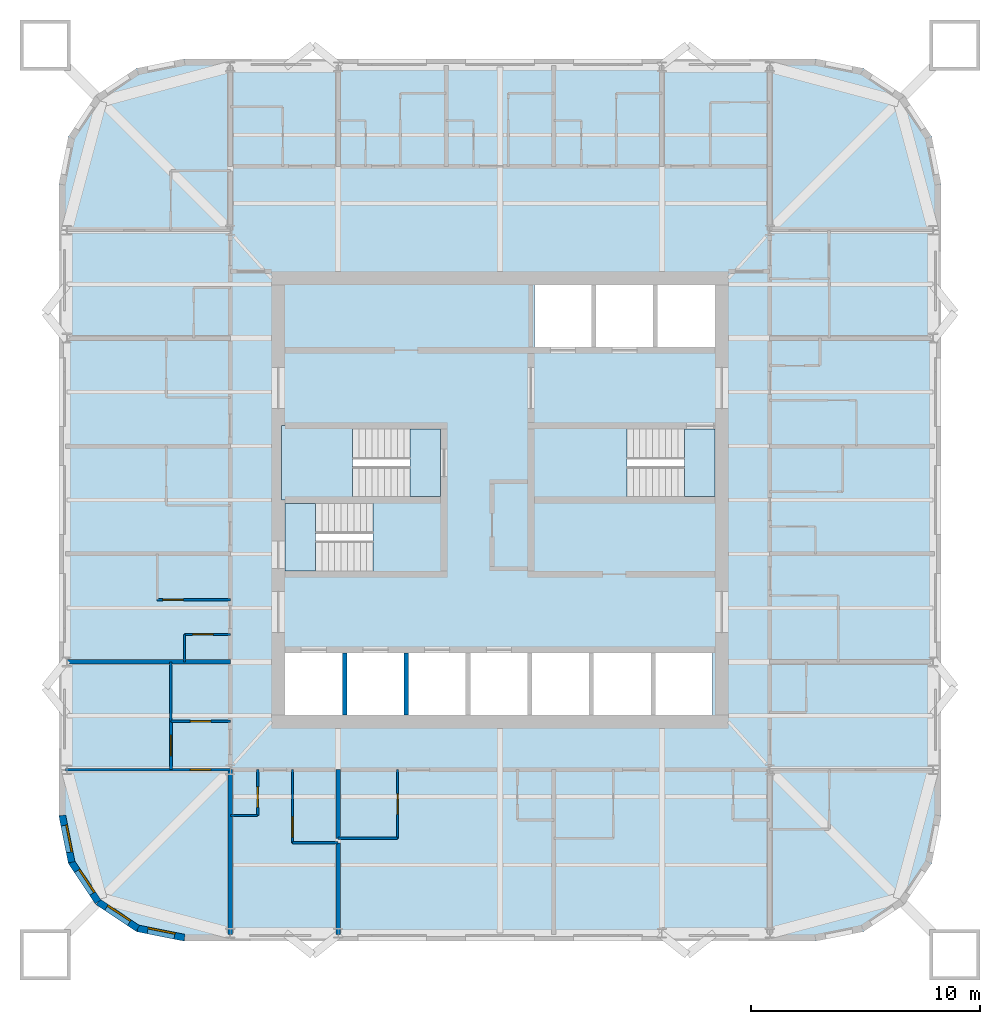
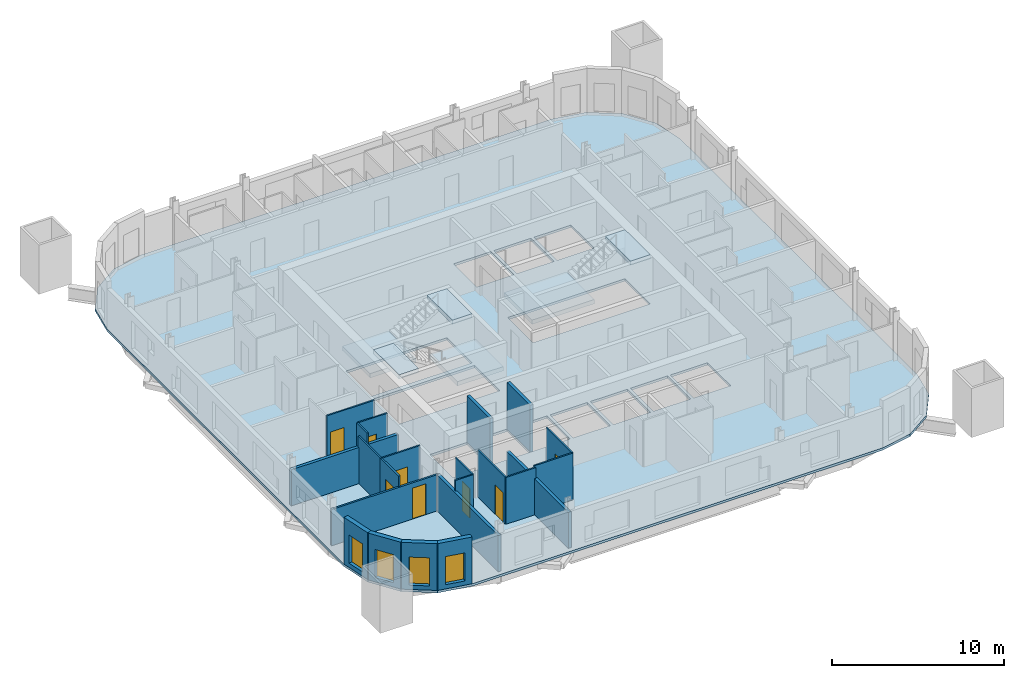
# One storey, part 2 of 10: 23 walls, 8 doors, 7 slabs, 4 windows, 12 openings, 3 elements without a shape of their own.
"""IFC4 building model written with IfcOpenShell, lengths in metres."""

from ifc_helpers import new_model, si_unit, direction, frame, frame_2d, origin, place, context, subcontext, project, spatial, polyline, rectangle, outline, extrude, material, layer, layer_set, type_object, element, fill, aggregate, save


model = new_model("IFC4")

# Units and contexts
model_context = context("Model", 3, precision=1e-05, world=origin(), true_north=direction((0.0, 1.0)))
body_context = subcontext(model_context, "Body", "Model", "MODEL_VIEW")
ifc_project = project(units=[si_unit("LENGTHUNIT", "METRE"), si_unit("AREAUNIT", "SQUARE_METRE"), si_unit("VOLUMEUNIT", "CUBIC_METRE"), si_unit("PLANEANGLEUNIT", "RADIAN"), si_unit("MASSUNIT", "GRAM", prefix="KILO")], contexts=[model_context])

# Site, building, storey
site_placement = place(None, origin())
site = spatial("IfcSite", under=ifc_project, at=site_placement, CompositionType="ELEMENT")
building_placement = place(site_placement, origin())
building = spatial("IfcBuilding", under=site, at=building_placement, Name="Turquesa Mirador Hotel Tower", CompositionType="ELEMENT")
storey_placement = place(building_placement, frame((0.0, 0.0, 179.300048828125)))
storey = spatial("IfcBuildingStorey", under=building, at=storey_placement, Name="L48", CompositionType="ELEMENT", Elevation=179.300048828125)

# Slab
ifc_material_1 = material(Name="Concrete C28/35", Category="concrete")
ifc_layer_1 = layer(ifc_material_1, 0.169921875)
ifc_layer_set_1 = layer_set([ifc_layer_1], Name="COMPOSITE FLOOR SLAB 170")
slab_type_1 = type_object("IfcSlabType", Name="COMPOSITE FLOOR SLAB 170", PredefinedType="FLOOR", material=ifc_layer_set_1)
slab_1_placement = place(storey_placement, frame((0.0, 0.0, -0.170166015625)))
element("IfcSlab", 1, at=slab_1_placement, inside=storey, type_object=slab_type_1, Name="Floor slab L48", PredefinedType="FLOOR", context=body_context, shape_type="SweptSolid", body=[
    extrude(outline(polyline([(68.800048828125, 25.699951171875), (70.90478515625, 26.11865234375), (72.689208984375, 27.310791015625), (73.88134765625, 29.09521484375), (74.300048828125, 31.199951171875), (74.300048828125, 58.800048828125), (73.88134765625, 60.90478515625), (72.689208984375, 62.689208984375), (70.90478515625, 63.88134765625), (68.800048828125, 64.300048828125), (41.199951171875, 64.300048828125), (39.09521484375, 63.88134765625), (37.310791015625, 62.689208984375), (36.11865234375, 60.90478515625), (35.699951171875, 58.800048828125), (35.699951171875, 31.199951171875), (36.11865234375, 29.09521484375), (37.310791015625, 27.310791015625), (39.09521484375, 26.11865234375), (41.199951171875, 25.699951171875), (68.800048828125, 25.699951171875)]), holes=[polyline([(56.5, 51.699951171875), (59.0, 51.699951171875), (59.0, 54.39990234375), (56.5, 54.39990234375), (56.5, 51.699951171875)]), polyline([(59.199951171875, 51.699951171875), (61.699951171875, 51.699951171875), (61.699951171875, 54.39990234375), (59.199951171875, 54.39990234375), (59.199951171875, 51.699951171875)]), polyline([(45.60009765625, 35.60009765625), (48.10009765625, 35.60009765625), (48.10009765625, 38.300048828125), (45.60009765625, 38.300048828125), (45.60009765625, 35.60009765625)]), polyline([(48.300048828125, 35.60009765625), (50.800048828125, 35.60009765625), (50.800048828125, 38.300048828125), (48.300048828125, 38.300048828125), (48.300048828125, 35.60009765625)]), polyline([(51.0, 35.60009765625), (53.5, 35.60009765625), (53.5, 38.300048828125), (51.0, 38.300048828125), (51.0, 35.60009765625)]), polyline([(53.699951171875, 35.60009765625), (56.199951171875, 35.60009765625), (56.199951171875, 38.300048828125), (53.699951171875, 38.300048828125), (53.699951171875, 35.60009765625)]), polyline([(56.39990234375, 35.60009765625), (58.89990234375, 35.60009765625), (58.89990234375, 38.300048828125), (56.39990234375, 38.300048828125), (56.39990234375, 35.60009765625)]), polyline([(59.10009765625, 35.60009765625), (61.60009765625, 35.60009765625), (61.60009765625, 38.300048828125), (59.10009765625, 38.300048828125), (59.10009765625, 35.60009765625)]), polyline([(61.800048828125, 35.60009765625), (64.300048828125, 35.60009765625), (64.300048828125, 38.300048828125), (61.800048828125, 38.300048828125), (61.800048828125, 35.60009765625)]), polyline([(45.60009765625, 45.14990234375), (52.39990234375, 45.14990234375), (52.39990234375, 48.10009765625), (45.60009765625, 48.10009765625), (45.60009765625, 45.14990234375)]), polyline([(45.60009765625, 41.89990234375), (52.39990234375, 41.89990234375), (52.39990234375, 44.85009765625), (45.60009765625, 44.85009765625), (45.60009765625, 41.89990234375)]), polyline([(56.5, 45.14990234375), (64.39990234375, 45.14990234375), (64.39990234375, 48.10009765625), (56.5, 48.10009765625), (56.5, 45.14990234375)]), polyline([(61.89990234375, 51.699951171875), (64.39990234375, 51.699951171875), (64.39990234375, 54.39990234375), (61.89990234375, 54.39990234375), (61.89990234375, 51.699951171875)])]), origin(), (0.0, 0.0, 1.0), 0.170166015625),
])

# Stair, slabs
ifc_material_2 = material(Name="Concrete C35/45", Category="concrete")
stair_type = type_object("IfcStairType", Name="ESCAPE STAIR CORE", PredefinedType="HALF_TURN_STAIR", material=ifc_material_2)
stair_1_placement = place(storey_placement, origin())
stair_1 = element("IfcStair", 2, at=stair_1_placement, inside=storey, type_object=stair_type, Name="Stair ST1 L48 to L49", PredefinedType="HALF_TURN_STAIR")
ifc_material_3 = material(Name="Concrete C35/45", Category="concrete")
ifc_layer_2 = layer(ifc_material_3, 0.300048828125)
ifc_layer_set_2 = layer_set([ifc_layer_2], Name="STAIR LANDING 300")
slab_type_2 = type_object("IfcSlabType", Name="STAIR LANDING 300", PredefinedType="LANDING", material=ifc_layer_set_2)
slab_2_placement = place(storey_placement, frame((0.0, 0.0, 1.449951171875)))
slab_2 = element("IfcSlab", 3, at=slab_2_placement, type_object=slab_type_2, Name="ST1 landing 1", PredefinedType="LANDING", context=body_context, shape_type="SweptSolid", body=[
    extrude(outline(polyline([(45.449951171875, 45.0), (48.550048828125, 45.0), (48.550048828125, 48.25), (45.449951171875, 48.25), (45.449951171875, 45.0)])), origin(), (0.0, 0.0, 1.0), 0.300048828125),
])
slab_3_placement = place(storey_placement, frame((0.0, 0.0, 3.199951171875)))
slab_3 = element("IfcSlab", 4, at=slab_3_placement, type_object=slab_type_2, Name="ST1 landing 2", PredefinedType="LANDING", context=body_context, shape_type="SweptSolid", body=[
    extrude(outline(polyline([(51.070068359375, 45.14990234375), (52.39990234375, 45.14990234375), (52.39990234375, 48.10009765625), (51.070068359375, 48.10009765625), (51.070068359375, 45.14990234375)])), origin(), (0.0, 0.0, 1.0), 0.300048828125),
])
aggregate(stair_1, [slab_2, slab_3])

stair_2_placement = place(storey_placement, origin())
stair_2 = element("IfcStair", 5, at=stair_2_placement, inside=storey, type_object=stair_type, Name="Stair ST2 L48 to L49", PredefinedType="HALF_TURN_STAIR")
slab_4_placement = place(storey_placement, frame((0.0, 0.0, 1.449951171875)))
slab_4 = element("IfcSlab", 6, at=slab_4_placement, type_object=slab_type_2, Name="ST2 landing 1", PredefinedType="LANDING", context=body_context, shape_type="SweptSolid", body=[
    extrude(outline(polyline([(52.550048828125, 45.0), (49.449951171875, 45.0), (49.449951171875, 41.75), (52.550048828125, 41.75), (52.550048828125, 45.0)])), origin(), (0.0, 0.0, 1.0), 0.300048828125),
])
slab_5_placement = place(storey_placement, frame((0.0, 0.0, 3.199951171875)))
slab_5 = element("IfcSlab", 7, at=slab_5_placement, type_object=slab_type_2, Name="ST2 landing 2", PredefinedType="LANDING", context=body_context, shape_type="SweptSolid", body=[
    extrude(outline(polyline([(46.929931640625, 44.85009765625), (45.60009765625, 44.85009765625), (45.60009765625, 41.89990234375), (46.929931640625, 41.89990234375), (46.929931640625, 44.85009765625)])), origin(), (0.0, 0.0, 1.0), 0.300048828125),
])
aggregate(stair_2, [slab_4, slab_5])

stair_3_placement = place(storey_placement, origin())
stair_3 = element("IfcStair", 8, at=stair_3_placement, inside=storey, type_object=stair_type, Name="Stair ST3 L48 to L49", PredefinedType="HALF_TURN_STAIR")
slab_6_placement = place(storey_placement, frame((0.0, 0.0, 1.449951171875)))
slab_6 = element("IfcSlab", 9, at=slab_6_placement, type_object=slab_type_2, Name="ST3 landing 1", PredefinedType="LANDING", context=body_context, shape_type="SweptSolid", body=[
    extrude(outline(polyline([(56.35009765625, 45.0), (60.550048828125, 45.0), (60.550048828125, 48.25), (56.35009765625, 48.25), (56.35009765625, 45.0)])), origin(), (0.0, 0.0, 1.0), 0.300048828125),
])
slab_7_placement = place(storey_placement, frame((0.0, 0.0, 3.199951171875)))
slab_7 = element("IfcSlab", 10, at=slab_7_placement, type_object=slab_type_2, Name="ST3 landing 2", PredefinedType="LANDING", context=body_context, shape_type="SweptSolid", body=[
    extrude(outline(polyline([(63.070068359375, 45.14990234375), (64.39990234375, 45.14990234375), (64.39990234375, 48.10009765625), (63.070068359375, 48.10009765625), (63.070068359375, 45.14990234375)])), origin(), (0.0, 0.0, 1.0), 0.300048828125),
])
aggregate(stair_3, [slab_6, slab_7])

# Walls
ifc_material_4 = material(Name="Gypsum board on steel studs", Category="steel")
ifc_layer_3 = layer(ifc_material_4, 0.10009765625)
ifc_layer_set_3 = layer_set([ifc_layer_3], Name="BATHROOM WALL 100")
wall_type_1 = type_object("IfcWallType", Name="BATHROOM WALL 100", PredefinedType="PARTITIONING", material=ifc_layer_set_3)
wall_1_placement = place(storey_placement, frame((43.199951171875, 31.199951171875, 0.0), z_axis=(0.0, 0.0, 1.0), x_axis=(1.0, 0.0, 0.0)))
element("IfcWall", 11, at=wall_1_placement, inside=storey, type_object=wall_type_1, Name="Partition L48 007", PredefinedType="PARTITIONING", context=body_context, shape_type="SweptSolid", body=[
    extrude(rectangle(XDim=1.199951171875, YDim=0.10009765625, at=frame_2d((0.60009765625, 0.0))), origin(), (0.0, 0.0, 1.0), 3.329833984375),
])
wall_2_placement = place(storey_placement, frame((47.919921875, 30.199951171875, 0.0), z_axis=(0.0, 0.0, 1.0), x_axis=(1.0, 0.0, 0.0)))
element("IfcWall", 12, at=wall_2_placement, inside=storey, type_object=wall_type_1, Name="Partition L48 011", PredefinedType="PARTITIONING", context=body_context, shape_type="SweptSolid", body=[
    extrude(rectangle(XDim=2.60009765625, YDim=0.10009765625, at=frame_2d((1.300048828125, 0.0))), origin(), (0.0, 0.0, 1.0), 3.329833984375),
])
wall_3_placement = place(storey_placement, frame((45.919921875, 30.0, 0.0), z_axis=(0.0, 0.0, 1.0), x_axis=(1.0, 0.0, 0.0)))
element("IfcWall", 13, at=wall_3_placement, inside=storey, type_object=wall_type_1, Name="Partition L48 013", PredefinedType="PARTITIONING", context=body_context, shape_type="SweptSolid", body=[
    extrude(rectangle(XDim=2.0, YDim=0.10009765625, at=frame_2d((1.0, 0.0))), origin(), (0.0, 0.0, 1.0), 3.329833984375),
])

# Wall, opening, door
wall_4_placement = place(storey_placement, frame((40.0, 40.639892578125, 0.0), z_axis=(0.0, 0.0, 1.0), x_axis=(1.0, 0.0, 0.0)))
wall_4 = element("IfcWall", 14, at=wall_4_placement, inside=storey, type_object=wall_type_1, Name="Partition L48 017", PredefinedType="PARTITIONING", context=body_context, shape_type="SweptSolid", body=[
    extrude(rectangle(XDim=3.199951171875, YDim=0.10009765625, at=frame_2d((1.60009765625, 0.0))), origin(), (0.0, 0.0, 1.0), 3.329833984375),
])
opening_1_placement = place(wall_4_placement, frame((0.25, 0.0, 0.0)))
opening_1 = element("IfcOpeningElement", 15, at=opening_1_placement, cuts=wall_4, Name="Opening D02", PredefinedType="OPENING", context=body_context, shape_type="SweptSolid", body=[
    extrude(rectangle(XDim=0.89990234375, YDim=2.10009765625, at=frame_2d((0.449951171875, 1.050048828125))), frame((0.0, 0.06005859375, 0.0), z_axis=(0.0, -1.0, 0.0), x_axis=(1.0, 0.0, 0.0)), (0.0, 0.0, 1.0), 0.1201171875),
])
ifc_material_5 = material(Name="Timber veneered door", Category="wood")
door_type_1 = type_object("IfcDoorType", Name="DOOR 900X2100 EN-SUITE", OperationType="SINGLE_SWING_RIGHT", PredefinedType="DOOR", material=ifc_material_5)
door_1_placement = place(opening_1_placement, origin())
door_1 = element("IfcDoor", 16, at=door_1_placement, inside=storey, type_object=door_type_1, Name="Door 4812B", OperationType="SINGLE_SWING_RIGHT", OverallHeight=2.10009765625, OverallWidth=0.89990234375, PredefinedType="DOOR", context=body_context, shape_type="SweptSolid", body=[
    extrude(rectangle(XDim=0.89990234375, YDim=2.10009765625, at=frame_2d((0.449951171875, 1.050048828125))), frame((0.0, 0.02490234375, 0.0), z_axis=(0.0, -1.0, 0.0), x_axis=(1.0, 0.0, 0.0)), (0.0, 0.0, 1.0), 0.050048828125),
])
fill(opening_1, door_1)

wall_5_placement = place(storey_placement, frame((41.199951171875, 39.1201171875, 0.0), z_axis=(0.0, 0.0, 1.0), x_axis=(1.0, 0.0, 0.0)))
wall_5 = element("IfcWall", 17, at=wall_5_placement, inside=storey, type_object=wall_type_1, Name="Partition L48 018", PredefinedType="PARTITIONING", context=body_context, shape_type="SweptSolid", body=[
    extrude(rectangle(XDim=2.0, YDim=0.10009765625, at=frame_2d((1.0, 0.0))), origin(), (0.0, 0.0, 1.0), 3.329833984375),
])
opening_2_placement = place(wall_5_placement, frame((0.35009765625, 0.0, 0.0)))
opening_2 = element("IfcOpeningElement", 18, at=opening_2_placement, cuts=wall_5, Name="Opening D06", PredefinedType="OPENING", context=body_context, shape_type="SweptSolid", body=[
    extrude(rectangle(XDim=0.89990234375, YDim=2.10009765625, at=frame_2d((0.449951171875, 1.050048828125))), frame((0.0, 0.06005859375, 0.0), z_axis=(0.0, -1.0, 0.0), x_axis=(1.0, 0.0, 0.0)), (0.0, 0.0, 1.0), 0.1201171875),
])
ifc_material_6 = material(Name="Laminate door", Category="wood")
door_type_2 = type_object("IfcDoorType", Name="DOOR 900X2100 WC", OperationType="SINGLE_SWING_LEFT", PredefinedType="DOOR", material=ifc_material_6)
door_2_placement = place(opening_2_placement, origin())
door_2 = element("IfcDoor", 19, at=door_2_placement, inside=storey, type_object=door_type_2, Name="Door 4812W", OperationType="SINGLE_SWING_LEFT", OverallHeight=2.10009765625, OverallWidth=0.89990234375, PredefinedType="DOOR", context=body_context, shape_type="SweptSolid", body=[
    extrude(rectangle(XDim=0.89990234375, YDim=2.10009765625, at=frame_2d((0.449951171875, 1.050048828125))), frame((0.0, 0.02490234375, 0.0), z_axis=(0.0, -1.0, 0.0), x_axis=(1.0, 0.0, 0.0)), (0.0, 0.0, 1.0), 0.050048828125),
])
fill(opening_2, door_2)

wall_6_placement = place(storey_placement, frame((40.60009765625, 35.320068359375, 0.0), z_axis=(0.0, 0.0, 1.0), x_axis=(1.0, 0.0, 0.0)))
wall_6 = element("IfcWall", 20, at=wall_6_placement, inside=storey, type_object=wall_type_1, Name="Partition L48 022", PredefinedType="PARTITIONING", context=body_context, shape_type="SweptSolid", body=[
    extrude(rectangle(XDim=2.599853515625, YDim=0.10009765625, at=frame_2d((1.2998046875, 0.0))), origin(), (0.0, 0.0, 1.0), 3.329833984375),
])
opening_3_placement = place(wall_6_placement, frame((0.85009765625, 0.0, 0.0)))
opening_3 = element("IfcOpeningElement", 21, at=opening_3_placement, cuts=wall_6, Name="Opening D02", PredefinedType="OPENING", context=body_context, shape_type="SweptSolid", body=[
    extrude(rectangle(XDim=0.89990234375, YDim=2.10009765625, at=frame_2d((0.449951171875, 1.050048828125))), frame((0.0, 0.06005859375, 0.0), z_axis=(0.0, -1.0, 0.0), x_axis=(1.0, 0.0, 0.0)), (0.0, 0.0, 1.0), 0.1201171875),
])
door_3_placement = place(opening_3_placement, origin())
door_3 = element("IfcDoor", 22, at=door_3_placement, inside=storey, type_object=door_type_1, Name="Door 4817B", OperationType="SINGLE_SWING_RIGHT", OverallHeight=2.10009765625, OverallWidth=0.89990234375, PredefinedType="DOOR", context=body_context, shape_type="SweptSolid", body=[
    extrude(rectangle(XDim=0.89990234375, YDim=2.10009765625, at=frame_2d((0.449951171875, 1.050048828125))), frame((0.0, 0.02490234375, 0.0), z_axis=(0.0, -1.0, 0.0), x_axis=(1.0, 0.0, 0.0)), (0.0, 0.0, 1.0), 0.050048828125),
])
fill(opening_3, door_3)

wall_7_placement = place(storey_placement, frame((44.39990234375, 31.199951171875, 0.0), z_axis=(0.0, 0.0, 1.0), x_axis=(0.0, 1.0, 0.0)))
wall_7 = element("IfcWall", 23, at=wall_7_placement, inside=storey, type_object=wall_type_1, Name="Partition L48 049", PredefinedType="PARTITIONING", context=body_context, shape_type="SweptSolid", body=[
    extrude(rectangle(XDim=2.0, YDim=0.10009765625, at=frame_2d((1.0, 0.0))), origin(), (0.0, 0.0, 1.0), 3.329833984375),
])
opening_4_placement = place(wall_7_placement, frame((0.35009765625, 0.0, 0.0)))
opening_4 = element("IfcOpeningElement", 24, at=opening_4_placement, cuts=wall_7, Name="Opening D06", PredefinedType="OPENING", context=body_context, shape_type="SweptSolid", body=[
    extrude(rectangle(XDim=0.89990234375, YDim=2.10009765625, at=frame_2d((0.449951171875, 1.050048828125))), frame((0.0, 0.06005859375, 0.0), z_axis=(0.0, -1.0, 0.0), x_axis=(1.0, 0.0, 0.0)), (0.0, 0.0, 1.0), 0.1201171875),
])
door_4_placement = place(opening_4_placement, origin())
door_4 = element("IfcDoor", 25, at=door_4_placement, inside=storey, type_object=door_type_2, Name="Door 4806W", OperationType="SINGLE_SWING_LEFT", OverallHeight=2.10009765625, OverallWidth=0.89990234375, PredefinedType="DOOR", context=body_context, shape_type="SweptSolid", body=[
    extrude(rectangle(XDim=0.89990234375, YDim=2.10009765625, at=frame_2d((0.449951171875, 1.050048828125))), frame((0.0, 0.02490234375, 0.0), z_axis=(0.0, -1.0, 0.0), x_axis=(1.0, 0.0, 0.0)), (0.0, 0.0, 1.0), 0.050048828125),
])
fill(opening_4, door_4)

# Walls
wall_8_placement = place(storey_placement, frame((41.199951171875, 37.919921875, 0.0), z_axis=(0.0, 0.0, 1.0), x_axis=(0.0, 1.0, 0.0)))
element("IfcWall", 26, at=wall_8_placement, inside=storey, type_object=wall_type_1, Name="Partition L48 054", PredefinedType="PARTITIONING", context=body_context, shape_type="SweptSolid", body=[
    extrude(rectangle(XDim=1.2001953125, YDim=0.10009765625, at=frame_2d((0.60009765625, 0.0))), origin(), (0.0, 0.0, 1.0), 3.329833984375),
])
wall_9_placement = place(storey_placement, frame((40.60009765625, 35.320068359375, 0.0), z_axis=(0.0, 0.0, 1.0), x_axis=(0.0, 1.0, 0.0)))
element("IfcWall", 27, at=wall_9_placement, inside=storey, type_object=wall_type_1, Name="Partition L48 055", PredefinedType="PARTITIONING", context=body_context, shape_type="SweptSolid", body=[
    extrude(rectangle(XDim=2.599853515625, YDim=0.10009765625, at=frame_2d((1.2998046875, 0.0))), origin(), (0.0, 0.0, 1.0), 3.329833984375),
])

# Wall, opening, door
wall_10_placement = place(storey_placement, frame((50.52001953125, 30.199951171875, 0.0), z_axis=(0.0, 0.0, 1.0), x_axis=(0.0, 1.0, 0.0)))
wall_10 = element("IfcWall", 28, at=wall_10_placement, inside=storey, type_object=wall_type_1, Name="Partition L48 063", PredefinedType="PARTITIONING", context=body_context, shape_type="SweptSolid", body=[
    extrude(rectangle(XDim=3.0, YDim=0.10009765625, at=frame_2d((1.5, 0.0))), origin(), (0.0, 0.0, 1.0), 3.329833984375),
])
opening_5_placement = place(wall_10_placement, frame((1.050048828125, 0.0, 0.0)))
opening_5 = element("IfcOpeningElement", 29, at=opening_5_placement, cuts=wall_10, Name="Opening D02", PredefinedType="OPENING", context=body_context, shape_type="SweptSolid", body=[
    extrude(rectangle(XDim=0.89990234375, YDim=2.10009765625, at=frame_2d((0.449951171875, 1.050048828125))), frame((0.0, 0.06005859375, 0.0), z_axis=(0.0, -1.0, 0.0), x_axis=(1.0, 0.0, 0.0)), (0.0, 0.0, 1.0), 0.1201171875),
])
door_5_placement = place(opening_5_placement, origin())
door_5 = element("IfcDoor", 30, at=door_5_placement, inside=storey, type_object=door_type_1, Name="Door 4807B", OperationType="SINGLE_SWING_RIGHT", OverallHeight=2.10009765625, OverallWidth=0.89990234375, PredefinedType="DOOR", context=body_context, shape_type="SweptSolid", body=[
    extrude(rectangle(XDim=0.89990234375, YDim=2.10009765625, at=frame_2d((0.449951171875, 1.050048828125))), frame((0.0, 0.02490234375, 0.0), z_axis=(0.0, -1.0, 0.0), x_axis=(1.0, 0.0, 0.0)), (0.0, 0.0, 1.0), 0.050048828125),
])
fill(opening_5, door_5)

wall_11_placement = place(storey_placement, frame((45.919921875, 30.0, 0.0), z_axis=(0.0, 0.0, 1.0), x_axis=(0.0, 1.0, 0.0)))
wall_11 = element("IfcWall", 31, at=wall_11_placement, inside=storey, type_object=wall_type_1, Name="Partition L48 068", PredefinedType="PARTITIONING", context=body_context, shape_type="SweptSolid", body=[
    extrude(rectangle(XDim=3.199951171875, YDim=0.10009765625, at=frame_2d((1.60009765625, 0.0))), origin(), (0.0, 0.0, 1.0), 3.329833984375),
])
opening_6_placement = place(wall_11_placement, frame((0.25, 0.0, 0.0)))
opening_6 = element("IfcOpeningElement", 32, at=opening_6_placement, cuts=wall_11, Name="Opening D02", PredefinedType="OPENING", context=body_context, shape_type="SweptSolid", body=[
    extrude(rectangle(XDim=0.89990234375, YDim=2.10009765625, at=frame_2d((0.449951171875, 1.050048828125))), frame((0.0, 0.06005859375, 0.0), z_axis=(0.0, -1.0, 0.0), x_axis=(1.0, 0.0, 0.0)), (0.0, 0.0, 1.0), 0.1201171875),
])
door_6_placement = place(opening_6_placement, origin())
door_6 = element("IfcDoor", 33, at=door_6_placement, inside=storey, type_object=door_type_1, Name="Door 4806B", OperationType="SINGLE_SWING_RIGHT", OverallHeight=2.10009765625, OverallWidth=0.89990234375, PredefinedType="DOOR", context=body_context, shape_type="SweptSolid", body=[
    extrude(rectangle(XDim=0.89990234375, YDim=2.10009765625, at=frame_2d((0.449951171875, 1.050048828125))), frame((0.0, 0.02490234375, 0.0), z_axis=(0.0, -1.0, 0.0), x_axis=(1.0, 0.0, 0.0)), (0.0, 0.0, 1.0), 0.050048828125),
])
fill(opening_6, door_6)

# Wall, opening, window
ifc_material_7 = material(Name="Limestone cladding on concrete block", Category="masonry")
ifc_layer_4 = layer(ifc_material_7, 0.300048828125)
ifc_layer_set_4 = layer_set([ifc_layer_4], Name="FACADE WALL 300 STONE SCREEN")
wall_type_2 = type_object("IfcWallType", Name="FACADE WALL 300 STONE SCREEN", PredefinedType="SOLIDWALL", material=ifc_layer_set_4)
wall_12_placement = place(storey_placement, frame((35.85009765625, 31.199951171875, 0.0), z_axis=(0.0, 0.0, 1.0), x_axis=(0.195081421501, -0.980787050784, 0.0)))
wall_12 = element("IfcWall", 34, at=wall_12_placement, inside=storey, type_object=wall_type_2, Name="Facade wall L48 15", PredefinedType="SOLIDWALL", context=body_context, shape_type="SweptSolid", body=[
    extrude(rectangle(XDim=2.08740234375, YDim=0.300048828125, at=frame_2d((1.043701171875, 0.0))), origin(), (0.0, 0.0, 1.0), 3.329833984375),
])
opening_7_placement = place(wall_12_placement, frame((0.443603515625, 0.0, 0.300048828125)))
opening_7 = element("IfcOpeningElement", 35, at=opening_7_placement, cuts=wall_12, Name="Opening WN4", PredefinedType="OPENING", context=body_context, shape_type="SweptSolid", body=[
    extrude(rectangle(XDim=1.199951171875, YDim=2.0, at=frame_2d((0.60009765625, 1.0))), frame((0.0, 0.159912109375, 0.0), z_axis=(0.0, -1.0, 0.0), x_axis=(1.0, 0.0, 0.0)), (0.0, 0.0, 1.0), 0.320068359375),
])
ifc_material_8 = material(Name="Ceramic-fritted laminated glass", Category="glass")
window_type = type_object("IfcWindowType", Name="FRITTED CORNER WINDOW 1200X2000", PartitioningType="DOUBLE_PANEL_HORIZONTAL", PredefinedType="WINDOW", material=ifc_material_8)
window_1_placement = place(opening_7_placement, origin())
window_1 = element("IfcWindow", 36, at=window_1_placement, inside=storey, type_object=window_type, Name="Window L48", OverallHeight=2.0, OverallWidth=1.199951171875, PartitioningType="SINGLE_PANEL", PredefinedType="WINDOW", context=body_context, shape_type="SweptSolid", body=[
    extrude(rectangle(XDim=1.199951171875, YDim=2.0, at=frame_2d((0.60009765625, 1.0))), frame((0.0, 0.130126953125, 0.0), z_axis=(0.0, -1.0, 0.0), x_axis=(1.0, 0.0, 0.0)), (0.0, 0.0, 1.0), 0.06005859375),
])
fill(opening_7, window_1)

wall_13_placement = place(storey_placement, frame((36.25732421875, 29.152587890625, 0.0), z_axis=(0.0, 0.0, 1.0), x_axis=(0.555563607591, -0.831474039234, 0.0)))
wall_13 = element("IfcWall", 37, at=wall_13_placement, inside=storey, type_object=wall_type_2, Name="Facade wall L48 16", PredefinedType="SOLIDWALL", context=body_context, shape_type="SweptSolid", body=[
    extrude(rectangle(XDim=2.08740234375, YDim=0.300048828125, at=frame_2d((1.043701171875, 0.0))), origin(), (0.0, 0.0, 1.0), 3.329833984375),
])
opening_8_placement = place(wall_13_placement, frame((0.443603515625, 0.0, 0.300048828125)))
opening_8 = element("IfcOpeningElement", 38, at=opening_8_placement, cuts=wall_13, Name="Opening WN4", PredefinedType="OPENING", context=body_context, shape_type="SweptSolid", body=[
    extrude(rectangle(XDim=1.199951171875, YDim=2.0, at=frame_2d((0.60009765625, 1.0))), frame((0.0, 0.159912109375, 0.0), z_axis=(0.0, -1.0, 0.0), x_axis=(1.0, 0.0, 0.0)), (0.0, 0.0, 1.0), 0.320068359375),
])
window_2_placement = place(opening_8_placement, origin())
window_2 = element("IfcWindow", 39, at=window_2_placement, inside=storey, type_object=window_type, Name="Window L48", OverallHeight=2.0, OverallWidth=1.199951171875, PartitioningType="SINGLE_PANEL", PredefinedType="WINDOW", context=body_context, shape_type="SweptSolid", body=[
    extrude(rectangle(XDim=1.199951171875, YDim=2.0, at=frame_2d((0.60009765625, 1.0))), frame((0.0, 0.130126953125, 0.0), z_axis=(0.0, -1.0, 0.0), x_axis=(1.0, 0.0, 0.0)), (0.0, 0.0, 1.0), 0.06005859375),
])
fill(opening_8, window_2)

wall_14_placement = place(storey_placement, frame((37.4169921875, 27.4169921875, 0.0), z_axis=(0.0, 0.0, 1.0), x_axis=(0.831474039234, -0.555563607591, 0.0)))
wall_14 = element("IfcWall", 40, at=wall_14_placement, inside=storey, type_object=wall_type_2, Name="Facade wall L48 17", PredefinedType="SOLIDWALL", context=body_context, shape_type="SweptSolid", body=[
    extrude(rectangle(XDim=2.08740234375, YDim=0.300048828125, at=frame_2d((1.043701171875, 0.0))), origin(), (0.0, 0.0, 1.0), 3.329833984375),
])
opening_9_placement = place(wall_14_placement, frame((0.443603515625, 0.0, 0.300048828125)))
opening_9 = element("IfcOpeningElement", 41, at=opening_9_placement, cuts=wall_14, Name="Opening WN4", PredefinedType="OPENING", context=body_context, shape_type="SweptSolid", body=[
    extrude(rectangle(XDim=1.199951171875, YDim=2.0, at=frame_2d((0.60009765625, 1.0))), frame((0.0, 0.159912109375, 0.0), z_axis=(0.0, -1.0, 0.0), x_axis=(1.0, 0.0, 0.0)), (0.0, 0.0, 1.0), 0.320068359375),
])
window_3_placement = place(opening_9_placement, origin())
window_3 = element("IfcWindow", 42, at=window_3_placement, inside=storey, type_object=window_type, Name="Window L48", OverallHeight=2.0, OverallWidth=1.199951171875, PartitioningType="SINGLE_PANEL", PredefinedType="WINDOW", context=body_context, shape_type="SweptSolid", body=[
    extrude(rectangle(XDim=1.199951171875, YDim=2.0, at=frame_2d((0.60009765625, 1.0))), frame((0.0, 0.130126953125, 0.0), z_axis=(0.0, -1.0, 0.0), x_axis=(1.0, 0.0, 0.0)), (0.0, 0.0, 1.0), 0.06005859375),
])
fill(opening_9, window_3)

wall_15_placement = place(storey_placement, frame((39.152587890625, 26.25732421875, 0.0), z_axis=(0.0, 0.0, 1.0), x_axis=(0.980787050784, -0.195081421501, 0.0)))
wall_15 = element("IfcWall", 43, at=wall_15_placement, inside=storey, type_object=wall_type_2, Name="Facade wall L48 18", PredefinedType="SOLIDWALL", context=body_context, shape_type="SweptSolid", body=[
    extrude(rectangle(XDim=2.08740234375, YDim=0.300048828125, at=frame_2d((1.043701171875, 0.0))), origin(), (0.0, 0.0, 1.0), 3.329833984375),
])
opening_10_placement = place(wall_15_placement, frame((0.443603515625, 0.0, 0.300048828125)))
opening_10 = element("IfcOpeningElement", 44, at=opening_10_placement, cuts=wall_15, Name="Opening WN4", PredefinedType="OPENING", context=body_context, shape_type="SweptSolid", body=[
    extrude(rectangle(XDim=1.199951171875, YDim=2.0, at=frame_2d((0.60009765625, 1.0))), frame((0.0, 0.159912109375, 0.0), z_axis=(0.0, -1.0, 0.0), x_axis=(1.0, 0.0, 0.0)), (0.0, 0.0, 1.0), 0.320068359375),
])
window_4_placement = place(opening_10_placement, origin())
window_4 = element("IfcWindow", 45, at=window_4_placement, inside=storey, type_object=window_type, Name="Window L48", OverallHeight=2.0, OverallWidth=1.199951171875, PartitioningType="SINGLE_PANEL", PredefinedType="WINDOW", context=body_context, shape_type="SweptSolid", body=[
    extrude(rectangle(XDim=1.199951171875, YDim=2.0, at=frame_2d((0.60009765625, 1.0))), frame((0.0, 0.130126953125, 0.0), z_axis=(0.0, -1.0, 0.0), x_axis=(1.0, 0.0, 0.0)), (0.0, 0.0, 1.0), 0.06005859375),
])
fill(opening_10, window_4)

# Walls
ifc_material_9 = material(Name="Fire-rated gypsum shaft wall on steel studs", Category="steel")
ifc_layer_5 = layer(ifc_material_9, 0.199951171875)
ifc_layer_set_5 = layer_set([ifc_layer_5], Name="LIFT SHAFT DIVIDER 200")
wall_type_3 = type_object("IfcWallType", Name="LIFT SHAFT DIVIDER 200", PredefinedType="PARTITIONING", material=ifc_layer_set_5)
for number, where, z_axis, x_axis, name in (
    (46, (48.199951171875, 35.60009765625, 0.0), (0.0, 0.0, 1.0), (0.0, 1.0, 0.0), "Lift shaft divider"),
    (47, (50.89990234375, 35.60009765625, 0.0), (0.0, 0.0, 1.0), (0.0, 1.0, 0.0), "Lift shaft divider"),
):
    element("IfcWall", number, at=place(storey_placement, frame(where, z_axis=z_axis, x_axis=x_axis)), inside=storey, type_object=wall_type_3, Name=name, PredefinedType="PARTITIONING", context=body_context, shape_type="SweptSolid", body=[
        extrude(rectangle(XDim=2.699951171875, YDim=0.199951171875, at=frame_2d((1.35009765625, 0.0))), origin(), (0.0, 0.0, 1.0), 3.329833984375),
    ])
ifc_material_10 = material(Name="Fire-rated gypsum board on steel studs", Category="steel")
ifc_layer_6 = layer(ifc_material_10, 0.199951171875)
ifc_layer_set_6 = layer_set([ifc_layer_6], Name="PARTY WALL 200")
wall_type_4 = type_object("IfcWallType", Name="PARTY WALL 200", PredefinedType="PARTITIONING", material=ifc_layer_set_6)
for number, where, z_axis, x_axis, name in (
    (48, (36.0, 37.919921875, 0.0), (0.0, 0.0, 1.0), (1.0, 0.0, 0.0), "Partition L48 019"),
    (49, (43.199951171875, 26.0, 0.0), (0.0, 0.0, 1.0), (0.0, 1.0, 0.0), "Partition L48 051"),
):
    element("IfcWall", number, at=place(storey_placement, frame(where, z_axis=z_axis, x_axis=x_axis)), inside=storey, type_object=wall_type_4, Name=name, PredefinedType="PARTITIONING", context=body_context, shape_type="SweptSolid", body=[
        extrude(rectangle(XDim=7.199951171875, YDim=0.199951171875, at=frame_2d((3.60009765625, 0.0))), origin(), (0.0, 0.0, 1.0), 2.572998046875),
    ])
wall_16_placement = place(storey_placement, frame((47.919921875, 26.0, 0.0), z_axis=(0.0, 0.0, 1.0), x_axis=(0.0, 1.0, 0.0)))
element("IfcWall", 50, at=wall_16_placement, inside=storey, type_object=wall_type_4, Name="Partition L48 065", PredefinedType="PARTITIONING", context=body_context, shape_type="SweptSolid", body=[
    extrude(rectangle(XDim=4.0, YDim=0.199951171875, at=frame_2d((2.0, 0.0))), origin(), (0.0, 0.0, 1.0), 2.572998046875),
])
wall_17_placement = place(storey_placement, frame((47.919921875, 30.199951171875, 0.0), z_axis=(0.0, 0.0, 1.0), x_axis=(0.0, 1.0, 0.0)))
element("IfcWall", 51, at=wall_17_placement, inside=storey, type_object=wall_type_4, Name="Partition L48 066", PredefinedType="PARTITIONING", context=body_context, shape_type="SweptSolid", body=[
    extrude(rectangle(XDim=3.0, YDim=0.199951171875, at=frame_2d((1.5, 0.0))), origin(), (0.0, 0.0, 1.0), 2.572998046875),
])

# Wall, opening, door
ifc_material_11 = material(Name="Acoustic gypsum board on steel studs", Category="steel")
ifc_layer_7 = layer(ifc_material_11, 0.125)
ifc_layer_set_7 = layer_set([ifc_layer_7], Name="SUITE PARTITION 125")
wall_type_5 = type_object("IfcWallType", Name="SUITE PARTITION 125", PredefinedType="PARTITIONING", material=ifc_layer_set_7)
wall_18_placement = place(storey_placement, frame((36.0, 33.199951171875, 0.0), z_axis=(0.0, 0.0, 1.0), x_axis=(1.0, 0.0, 0.0)))
wall_18 = element("IfcWall", 52, at=wall_18_placement, inside=storey, type_object=wall_type_5, Name="Partition L48 005", PredefinedType="PARTITIONING", context=body_context, shape_type="SweptSolid", body=[
    extrude(rectangle(XDim=7.199951171875, YDim=0.125, at=frame_2d((3.60009765625, 0.0))), origin(), (0.0, 0.0, 1.0), 2.572998046875),
])
opening_11_placement = place(wall_18_placement, frame((5.449951171875, 0.0, 0.0)))
opening_11 = element("IfcOpeningElement", 53, at=opening_11_placement, cuts=wall_18, Name="Opening D17", PredefinedType="OPENING", context=body_context, shape_type="SweptSolid", body=[
    extrude(rectangle(XDim=0.89990234375, YDim=2.199951171875, at=frame_2d((0.449951171875, 1.10009765625))), frame((0.0, 0.072509765625, 0.0), z_axis=(0.0, -1.0, 0.0), x_axis=(1.0, 0.0, 0.0)), (0.0, 0.0, 1.0), 0.14501953125),
])
ifc_material_12 = material(Name="Timber veneered door", Category="wood")
door_type_3 = type_object("IfcDoorType", Name="DOOR 900X2200 SUITE INTERNAL", OperationType="SINGLE_SWING_LEFT", PredefinedType="DOOR", material=ifc_material_12)
door_7_placement = place(opening_11_placement, origin())
door_7 = element("IfcDoor", 54, at=door_7_placement, inside=storey, type_object=door_type_3, Name="Door 4817", OperationType="SINGLE_SWING_LEFT", OverallHeight=2.199951171875, OverallWidth=0.89990234375, PredefinedType="DOOR", context=body_context, shape_type="SweptSolid", body=[
    extrude(rectangle(XDim=0.89990234375, YDim=2.199951171875, at=frame_2d((0.449951171875, 1.10009765625))), frame((0.0, 0.02490234375, 0.0), z_axis=(0.0, -1.0, 0.0), x_axis=(1.0, 0.0, 0.0)), (0.0, 0.0, 1.0), 0.050048828125),
])
fill(opening_11, door_7)

wall_19_placement = place(storey_placement, frame((40.60009765625, 33.199951171875, 0.0), z_axis=(0.0, 0.0, 1.0), x_axis=(0.0, 1.0, 0.0)))
wall_19 = element("IfcWall", 55, at=wall_19_placement, inside=storey, type_object=wall_type_5, Name="Partition L48 057", PredefinedType="PARTITIONING", context=body_context, shape_type="SweptSolid", body=[
    extrude(rectangle(XDim=2.1201171875, YDim=0.125, at=frame_2d((1.06005859375, 0.0))), origin(), (0.0, 0.0, 1.0), 3.329833984375),
])
opening_12_placement = place(wall_19_placement, frame((0.610107421875, 0.0, 0.0)))
opening_12 = element("IfcOpeningElement", 56, at=opening_12_placement, cuts=wall_19, Name="Opening D17", PredefinedType="OPENING", context=body_context, shape_type="SweptSolid", body=[
    extrude(rectangle(XDim=0.89990234375, YDim=2.199951171875, at=frame_2d((0.449951171875, 1.10009765625))), frame((0.0, 0.072509765625, 0.0), z_axis=(0.0, -1.0, 0.0), x_axis=(1.0, 0.0, 0.0)), (0.0, 0.0, 1.0), 0.14501953125),
])
door_8_placement = place(opening_12_placement, origin())
door_8 = element("IfcDoor", 57, at=door_8_placement, inside=storey, type_object=door_type_3, Name="Door 4817R", OperationType="SINGLE_SWING_LEFT", OverallHeight=2.199951171875, OverallWidth=0.89990234375, PredefinedType="DOOR", context=body_context, shape_type="SweptSolid", body=[
    extrude(rectangle(XDim=0.89990234375, YDim=2.199951171875, at=frame_2d((0.449951171875, 1.10009765625))), frame((0.0, 0.02490234375, 0.0), z_axis=(0.0, -1.0, 0.0), x_axis=(1.0, 0.0, 0.0)), (0.0, 0.0, 1.0), 0.050048828125),
])
fill(opening_12, door_8)

save(model, "model.ifc")
